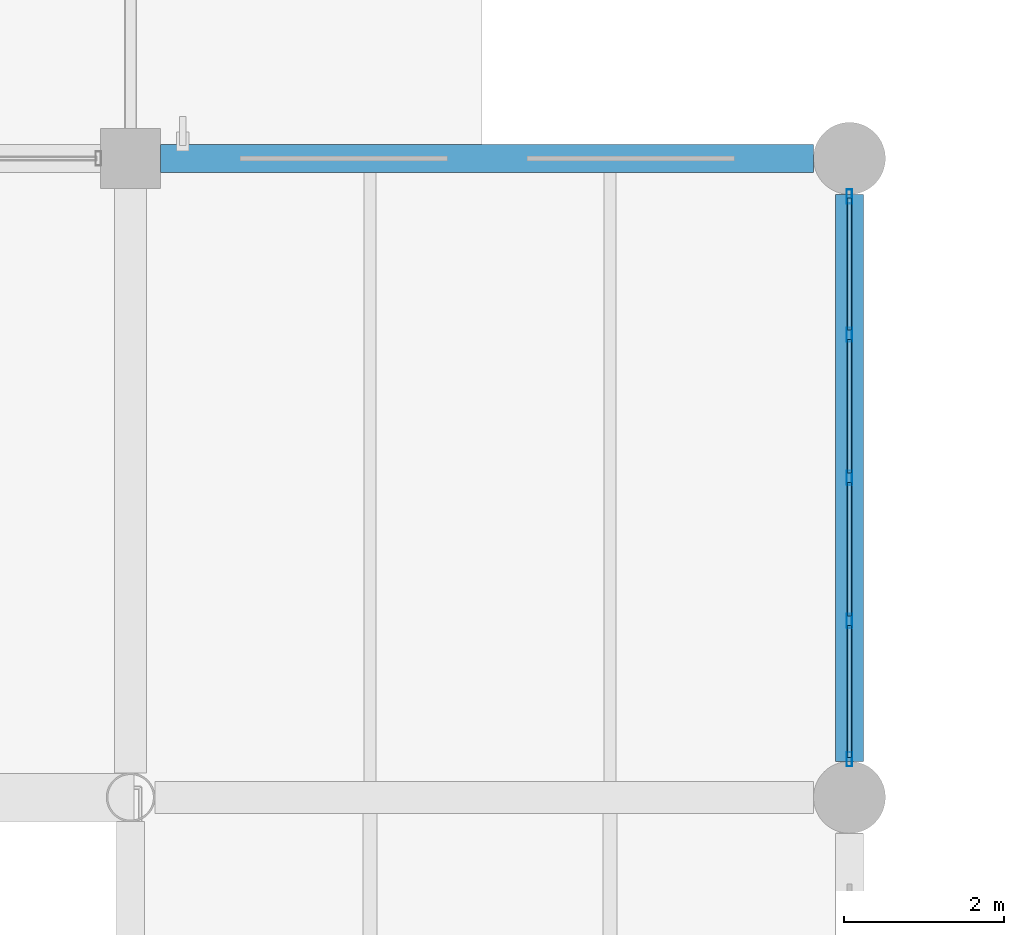
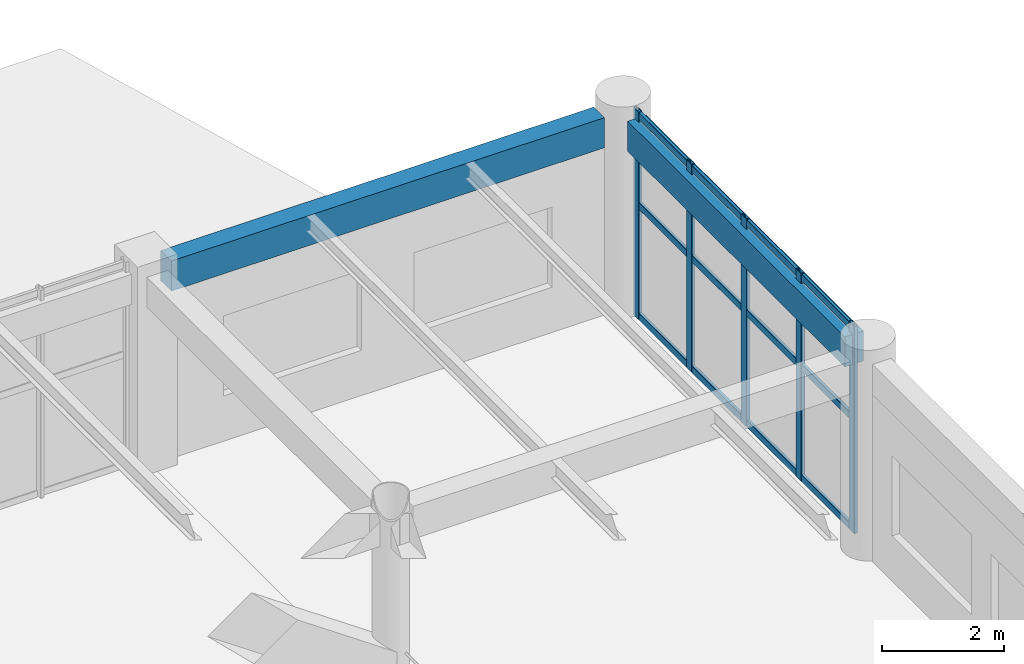
# One storey, part 79 of 148: 17 members, 2 beams, 1 element without a shape of its own.
"""IFC4 building model written with IfcOpenShell, lengths in metres."""

from ifc_helpers import new_model, si_unit, derived_unit, direction, frame, origin, origin_2d, place, context, subcontext, project, spatial, rectangle, hollow_rectangle, extrude, material, material_profile, profile_set, type_object, element, aggregate, save


model = new_model("IFC4")

# Units and contexts
model_context = context("Model", 3, precision=1e-05, world=origin(), true_north=direction((0.0, 1.0)))
body_context = subcontext(model_context, "Body", "Model", "MODEL_VIEW")
ifc_project = project(units=[si_unit("LENGTHUNIT", "METRE"), si_unit("AREAUNIT", "SQUARE_METRE"), si_unit("VOLUMEUNIT", "CUBIC_METRE"), si_unit("PLANEANGLEUNIT", "RADIAN"), si_unit("MASSUNIT", "GRAM", prefix="KILO"), derived_unit("THERMALTRANSMITTANCEUNIT", [(si_unit("MASSUNIT", "GRAM", prefix="KILO"), 1), (si_unit("TIMEUNIT", "SECOND"), -3), (si_unit("THERMODYNAMICTEMPERATUREUNIT", "KELVIN"), -1)])], contexts=[model_context])

# Site, building, storey
site_placement = place(None, origin())
site = spatial("IfcSite", under=ifc_project, at=site_placement, CompositionType="ELEMENT")
building_placement = place(site_placement, origin())
building = spatial("IfcBuilding", under=site, at=building_placement, Name="Zhenchuan Archway Interchange", CompositionType="ELEMENT")
storey_placement = place(building_placement, frame((0.0, 0.0, 10.199951171875)))
storey = spatial("IfcBuildingStorey", under=building, at=storey_placement, Name="L02", CompositionType="ELEMENT", Elevation=10.199951171875)

# Curtain wall, members
ifc_material_1 = material(Name="Anodised Aluminium", Category="aluminium")
curtain_wall_type = type_object("IfcCurtainWallType", Name="CW_UNIT_4", PredefinedType="NOTDEFINED", material=ifc_material_1)
curtain_wall_placement = place(storey_placement, origin())
curtain_wall = element("IfcCurtainWall", 1, at=curtain_wall_placement, inside=storey, type_object=curtain_wall_type, Name="Unitised curtain wall CW:L02:119", PredefinedType="NOTDEFINED")
ifc_material_profile_1 = material_profile(ifc_material_1, hollow_rectangle(XDim=0.070068359375, YDim=0.179931640625, WallThickness=0.00390625, InnerFilletRadius=0.00390625, OuterFilletRadius=0.008056640625, at=origin_2d()), Name="ALU 180x70x4")
ifc_profile_set_1 = profile_set([ifc_material_profile_1], Name="Anodised Aluminium")
member_type_1 = type_object("IfcMemberType", Name="CW_MUL_180", PredefinedType="MULLION", material=ifc_profile_set_1)
member_1_placement = place(storey_placement, frame((72.0, 87.52294921875, 0.0), z_axis=(0.0, 0.0, 1.0), x_axis=(1.0, 0.0, 0.0)))
member_1 = element("IfcMember", 2, at=member_1_placement, type_object=member_type_1, Name="CW:L02:119 mullion 0", PredefinedType="MULLION", context=body_context, shape_type="SweptSolid", body=[
    extrude(hollow_rectangle(XDim=0.070068359375, YDim=0.179931640625, WallThickness=0.00390625, InnerFilletRadius=0.00390625, OuterFilletRadius=0.008056640625, at=origin_2d()), origin(), (0.0, 0.0, 1.0), 4.14013671875),
])
member_2_placement = place(storey_placement, frame((72.0, 85.79150390625, 0.0), z_axis=(0.0, 0.0, 1.0), x_axis=(1.0, 0.0, 0.0)))
member_2 = element("IfcMember", 3, at=member_2_placement, type_object=member_type_1, Name="CW:L02:119 mullion 1", PredefinedType="MULLION", context=body_context, shape_type="SweptSolid", body=[
    extrude(hollow_rectangle(XDim=0.070068359375, YDim=0.179931640625, WallThickness=0.00390625, InnerFilletRadius=0.00390625, OuterFilletRadius=0.008056640625, at=origin_2d()), origin(), (0.0, 0.0, 1.0), 4.14013671875),
])
member_3_placement = place(storey_placement, frame((72.0, 84.0, 0.0), z_axis=(0.0, 0.0, 1.0), x_axis=(1.0, 0.0, 0.0)))
member_3 = element("IfcMember", 4, at=member_3_placement, type_object=member_type_1, Name="CW:L02:119 mullion 2", PredefinedType="MULLION", context=body_context, shape_type="SweptSolid", body=[
    extrude(hollow_rectangle(XDim=0.070068359375, YDim=0.179931640625, WallThickness=0.00390625, InnerFilletRadius=0.00390625, OuterFilletRadius=0.008056640625, at=origin_2d()), origin(), (0.0, 0.0, 1.0), 4.14013671875),
])
member_4_placement = place(storey_placement, frame((72.0, 82.20849609375, 0.0), z_axis=(0.0, 0.0, 1.0), x_axis=(1.0, 0.0, 0.0)))
member_4 = element("IfcMember", 5, at=member_4_placement, type_object=member_type_1, Name="CW:L02:119 mullion 3", PredefinedType="MULLION", context=body_context, shape_type="SweptSolid", body=[
    extrude(hollow_rectangle(XDim=0.070068359375, YDim=0.179931640625, WallThickness=0.00390625, InnerFilletRadius=0.00390625, OuterFilletRadius=0.008056640625, at=origin_2d()), origin(), (0.0, 0.0, 1.0), 4.14013671875),
])
member_5_placement = place(storey_placement, frame((72.0, 80.47705078125, 0.0), z_axis=(0.0, 0.0, 1.0), x_axis=(1.0, 0.0, 0.0)))
member_5 = element("IfcMember", 6, at=member_5_placement, type_object=member_type_1, Name="CW:L02:119 mullion 4", PredefinedType="MULLION", context=body_context, shape_type="SweptSolid", body=[
    extrude(hollow_rectangle(XDim=0.070068359375, YDim=0.179931640625, WallThickness=0.00390625, InnerFilletRadius=0.00390625, OuterFilletRadius=0.008056640625, at=origin_2d()), origin(), (0.0, 0.0, 1.0), 4.14013671875),
])
ifc_material_profile_2 = material_profile(ifc_material_1, hollow_rectangle(XDim=0.06005859375, YDim=0.139892578125, WallThickness=0.00341796875, InnerFilletRadius=0.00341796875, OuterFilletRadius=0.007080078125, at=origin_2d()), Name="ALU 140x60x3.5")
ifc_profile_set_2 = profile_set([ifc_material_profile_2], Name="Anodised Aluminium")
member_type_2 = type_object("IfcMemberType", Name="CW_TRN_140", PredefinedType="USERDEFINED", material=ifc_profile_set_2)
member_6_placement = place(storey_placement, frame((72.0, 87.5029296875, 0.06005859375), z_axis=(0.0, -1.0, 0.0), x_axis=(1.0, 0.0, 0.0)))
member_6 = element("IfcMember", 7, at=member_6_placement, type_object=member_type_2, Name="CW:L02:119 transom 0-1", ObjectType="TRANSOM", PredefinedType="USERDEFINED", context=body_context, shape_type="SweptSolid", body=[
    extrude(hollow_rectangle(XDim=0.06005859375, YDim=0.139892578125, WallThickness=0.00341796875, InnerFilletRadius=0.00341796875, OuterFilletRadius=0.007080078125, at=origin_2d()), origin(), (0.0, 0.0, 1.0), 1.6513671875),
])
member_7_placement = place(storey_placement, frame((72.0, 87.5029296875, 2.26611328125), z_axis=(0.0, -1.0, 0.0), x_axis=(1.0, 0.0, 0.0)))
member_7 = element("IfcMember", 8, at=member_7_placement, type_object=member_type_2, Name="CW:L02:119 transom 0-2", ObjectType="TRANSOM", PredefinedType="USERDEFINED", context=body_context, shape_type="SweptSolid", body=[
    extrude(hollow_rectangle(XDim=0.06005859375, YDim=0.139892578125, WallThickness=0.00341796875, InnerFilletRadius=0.00341796875, OuterFilletRadius=0.007080078125, at=origin_2d()), origin(), (0.0, 0.0, 1.0), 1.6513671875),
])
member_8_placement = place(storey_placement, frame((72.0, 87.5029296875, 4.06005859375), z_axis=(0.0, -1.0, 0.0), x_axis=(1.0, 0.0, 0.0)))
member_8 = element("IfcMember", 9, at=member_8_placement, type_object=member_type_2, Name="CW:L02:119 transom 0-3", ObjectType="TRANSOM", PredefinedType="USERDEFINED", context=body_context, shape_type="SweptSolid", body=[
    extrude(hollow_rectangle(XDim=0.06005859375, YDim=0.139892578125, WallThickness=0.00341796875, InnerFilletRadius=0.00341796875, OuterFilletRadius=0.007080078125, at=origin_2d()), origin(), (0.0, 0.0, 1.0), 1.6513671875),
])
member_9_placement = place(storey_placement, frame((72.0, 85.7314453125, 0.06005859375), z_axis=(0.0, -1.0, 0.0), x_axis=(1.0, 0.0, 0.0)))
member_9 = element("IfcMember", 10, at=member_9_placement, type_object=member_type_2, Name="CW:L02:119 transom 1-1", ObjectType="TRANSOM", PredefinedType="USERDEFINED", context=body_context, shape_type="SweptSolid", body=[
    extrude(hollow_rectangle(XDim=0.06005859375, YDim=0.139892578125, WallThickness=0.00341796875, InnerFilletRadius=0.00341796875, OuterFilletRadius=0.007080078125, at=origin_2d()), origin(), (0.0, 0.0, 1.0), 1.67138671875),
])
member_10_placement = place(storey_placement, frame((72.0, 85.7314453125, 2.26611328125), z_axis=(0.0, -1.0, 0.0), x_axis=(1.0, 0.0, 0.0)))
member_10 = element("IfcMember", 11, at=member_10_placement, type_object=member_type_2, Name="CW:L02:119 transom 1-2", ObjectType="TRANSOM", PredefinedType="USERDEFINED", context=body_context, shape_type="SweptSolid", body=[
    extrude(hollow_rectangle(XDim=0.06005859375, YDim=0.139892578125, WallThickness=0.00341796875, InnerFilletRadius=0.00341796875, OuterFilletRadius=0.007080078125, at=origin_2d()), origin(), (0.0, 0.0, 1.0), 1.67138671875),
])
member_11_placement = place(storey_placement, frame((72.0, 85.7314453125, 4.06005859375), z_axis=(0.0, -1.0, 0.0), x_axis=(1.0, 0.0, 0.0)))
member_11 = element("IfcMember", 12, at=member_11_placement, type_object=member_type_2, Name="CW:L02:119 transom 1-3", ObjectType="TRANSOM", PredefinedType="USERDEFINED", context=body_context, shape_type="SweptSolid", body=[
    extrude(hollow_rectangle(XDim=0.06005859375, YDim=0.139892578125, WallThickness=0.00341796875, InnerFilletRadius=0.00341796875, OuterFilletRadius=0.007080078125, at=origin_2d()), origin(), (0.0, 0.0, 1.0), 1.67138671875),
])
member_12_placement = place(storey_placement, frame((72.0, 83.93994140625, 0.06005859375), z_axis=(0.0, -1.0, 0.0), x_axis=(1.0, 0.0, 0.0)))
member_12 = element("IfcMember", 13, at=member_12_placement, type_object=member_type_2, Name="CW:L02:119 transom 2-1", ObjectType="TRANSOM", PredefinedType="USERDEFINED", context=body_context, shape_type="SweptSolid", body=[
    extrude(hollow_rectangle(XDim=0.06005859375, YDim=0.139892578125, WallThickness=0.00341796875, InnerFilletRadius=0.00341796875, OuterFilletRadius=0.007080078125, at=origin_2d()), origin(), (0.0, 0.0, 1.0), 1.67138671875),
])
member_13_placement = place(storey_placement, frame((72.0, 83.93994140625, 2.26611328125), z_axis=(0.0, -1.0, 0.0), x_axis=(1.0, 0.0, 0.0)))
member_13 = element("IfcMember", 14, at=member_13_placement, type_object=member_type_2, Name="CW:L02:119 transom 2-2", ObjectType="TRANSOM", PredefinedType="USERDEFINED", context=body_context, shape_type="SweptSolid", body=[
    extrude(hollow_rectangle(XDim=0.06005859375, YDim=0.139892578125, WallThickness=0.00341796875, InnerFilletRadius=0.00341796875, OuterFilletRadius=0.007080078125, at=origin_2d()), origin(), (0.0, 0.0, 1.0), 1.67138671875),
])
member_14_placement = place(storey_placement, frame((72.0, 83.93994140625, 4.06005859375), z_axis=(0.0, -1.0, 0.0), x_axis=(1.0, 0.0, 0.0)))
member_14 = element("IfcMember", 15, at=member_14_placement, type_object=member_type_2, Name="CW:L02:119 transom 2-3", ObjectType="TRANSOM", PredefinedType="USERDEFINED", context=body_context, shape_type="SweptSolid", body=[
    extrude(hollow_rectangle(XDim=0.06005859375, YDim=0.139892578125, WallThickness=0.00341796875, InnerFilletRadius=0.00341796875, OuterFilletRadius=0.007080078125, at=origin_2d()), origin(), (0.0, 0.0, 1.0), 1.67138671875),
])
member_15_placement = place(storey_placement, frame((72.0, 82.1484375, 0.06005859375), z_axis=(0.0, -1.0, 0.0), x_axis=(1.0, 0.0, 0.0)))
member_15 = element("IfcMember", 16, at=member_15_placement, type_object=member_type_2, Name="CW:L02:119 transom 3-1", ObjectType="TRANSOM", PredefinedType="USERDEFINED", context=body_context, shape_type="SweptSolid", body=[
    extrude(hollow_rectangle(XDim=0.06005859375, YDim=0.139892578125, WallThickness=0.00341796875, InnerFilletRadius=0.00341796875, OuterFilletRadius=0.007080078125, at=origin_2d()), origin(), (0.0, 0.0, 1.0), 1.6513671875),
])
member_16_placement = place(storey_placement, frame((72.0, 82.1484375, 2.26611328125), z_axis=(0.0, -1.0, 0.0), x_axis=(1.0, 0.0, 0.0)))
member_16 = element("IfcMember", 17, at=member_16_placement, type_object=member_type_2, Name="CW:L02:119 transom 3-2", ObjectType="TRANSOM", PredefinedType="USERDEFINED", context=body_context, shape_type="SweptSolid", body=[
    extrude(hollow_rectangle(XDim=0.06005859375, YDim=0.139892578125, WallThickness=0.00341796875, InnerFilletRadius=0.00341796875, OuterFilletRadius=0.007080078125, at=origin_2d()), origin(), (0.0, 0.0, 1.0), 1.6513671875),
])
member_17_placement = place(storey_placement, frame((72.0, 82.1484375, 4.06005859375), z_axis=(0.0, -1.0, 0.0), x_axis=(1.0, 0.0, 0.0)))
member_17 = element("IfcMember", 18, at=member_17_placement, type_object=member_type_2, Name="CW:L02:119 transom 3-3", ObjectType="TRANSOM", PredefinedType="USERDEFINED", context=body_context, shape_type="SweptSolid", body=[
    extrude(hollow_rectangle(XDim=0.06005859375, YDim=0.139892578125, WallThickness=0.00341796875, InnerFilletRadius=0.00341796875, OuterFilletRadius=0.007080078125, at=origin_2d()), origin(), (0.0, 0.0, 1.0), 1.6513671875),
])
aggregate(curtain_wall, [member_1, member_2, member_3, member_4, member_5, member_6, member_7, member_8, member_9, member_10, member_11, member_12, member_13, member_14, member_15, member_16, member_17])

# Beams
ifc_material_2 = material(Name="Concrete C40", Category="concrete")
ifc_material_profile_3 = material_profile(ifc_material_2, rectangle(XDim=0.35009765625, YDim=0.60009765625, at=origin_2d()), Name="RC 350x600")
ifc_profile_set_3 = profile_set([ifc_material_profile_3], Name="Concrete C40")
beam_type = type_object("IfcBeamType", Name="SP_RC_350x600", PredefinedType="SPANDREL", material=ifc_profile_set_3)
beam_1_placement = place(storey_placement, frame((63.375, 88.0, 3.64013671875), z_axis=(1.0, 0.0, 0.0), x_axis=(0.0, 1.0, 0.0)))
element("IfcBeam", 19, at=beam_1_placement, inside=storey, type_object=beam_type, Name="Beam M:8-9 (L02)", PredefinedType="SPANDREL", context=body_context, shape_type="SweptSolid", body=[
    extrude(rectangle(XDim=0.35009765625, YDim=0.60009765625, at=origin_2d()), origin(), (0.0, 0.0, 1.0), 8.175048828125),
])
beam_2_placement = place(storey_placement, frame((72.0, 80.449951171875, 3.64013671875), z_axis=(0.0, 1.0, 0.0), x_axis=(-1.0, 0.0, 0.0)))
element("IfcBeam", 20, at=beam_2_placement, inside=storey, type_object=beam_type, Name="Beam 9:L-M (L02)", PredefinedType="SPANDREL", context=body_context, shape_type="SweptSolid", body=[
    extrude(rectangle(XDim=0.35009765625, YDim=0.60009765625, at=origin_2d()), origin(), (0.0, 0.0, 1.0), 7.10009765625),
])

save(model, "model.ifc")
